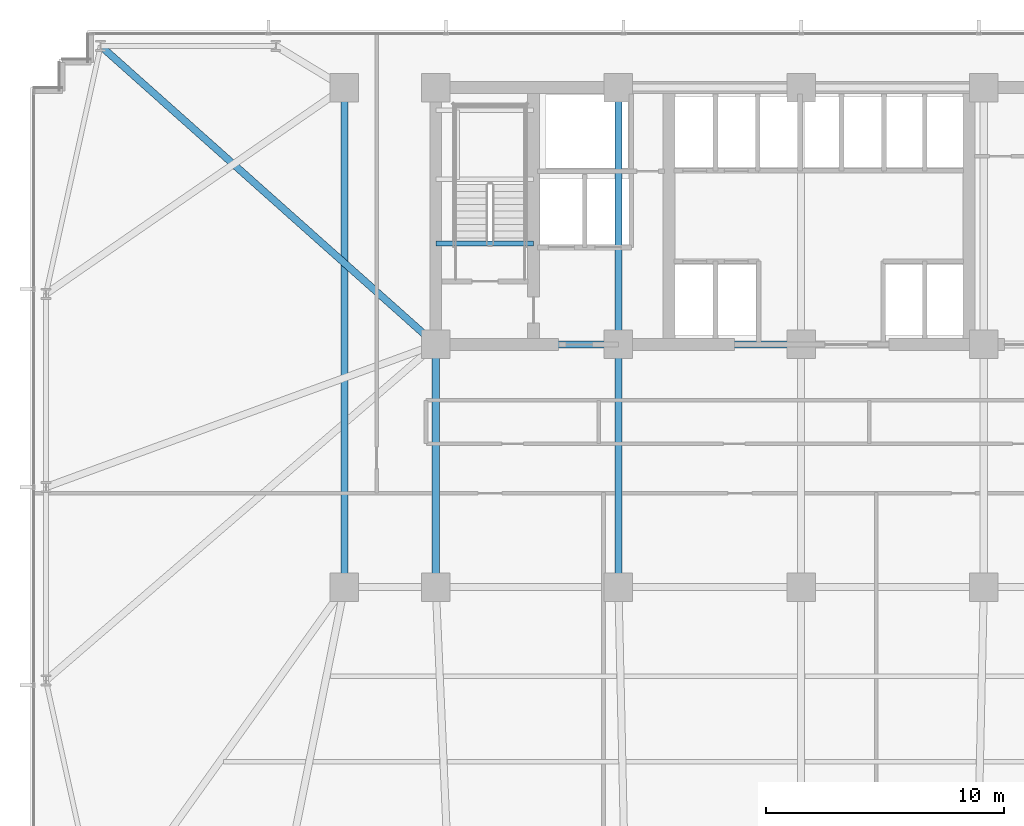
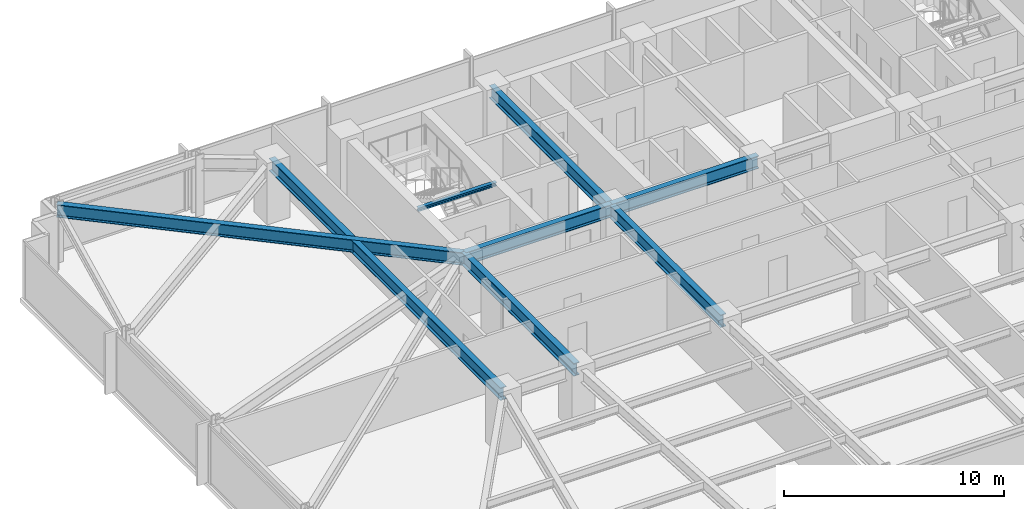
# One storey, part 10 of 32: 8 beams.
"""IFC4 building model written with IfcOpenShell, lengths in metres."""

from ifc_helpers import new_model, si_unit, direction, frame, origin, origin_2d, place, context, subcontext, project, spatial, i_section, extrude, material, material_profile, profile_set, type_object, element, save


model = new_model("IFC4")

# Units and contexts
model_context = context("Model", 3, precision=1e-05, world=origin(), true_north=direction((0.0, 1.0)))
body_context = subcontext(model_context, "Body", "Model", "MODEL_VIEW")
ifc_project = project(units=[si_unit("LENGTHUNIT", "METRE"), si_unit("AREAUNIT", "SQUARE_METRE"), si_unit("VOLUMEUNIT", "CUBIC_METRE"), si_unit("PLANEANGLEUNIT", "RADIAN"), si_unit("MASSUNIT", "GRAM", prefix="KILO")], contexts=[model_context])

# Site, building, storey
site_placement = place(None, origin())
site = spatial("IfcSite", under=ifc_project, at=site_placement, CompositionType="ELEMENT")
building_placement = place(site_placement, origin())
building = spatial("IfcBuilding", under=site, at=building_placement, Name="Yelkora Congress Tower", CompositionType="ELEMENT")
storey_placement = place(building_placement, frame((0.0, 0.0, 67.800048828125)))
storey = spatial("IfcBuildingStorey", under=building, at=storey_placement, Name="L17", CompositionType="ELEMENT", Elevation=67.800048828125)

# Beams
ifc_material = material(Name="Steel S355J2", Category="steel")
ifc_material_profile_1 = material_profile(ifc_material, i_section(OverallWidth=0.300048828125, OverallDepth=0.699951171875, WebThickness=0.01708984375, FlangeThickness=0.031982421875, FilletRadius=0.027099609375, at=origin_2d()), Name="HEB 700")
ifc_profile_set_1 = profile_set([ifc_material_profile_1], Name="Steel S355J2")
beam_type_1 = type_object("IfcBeamType", Name="BM-GIRD-HEB700", PredefinedType="BEAM", material=ifc_profile_set_1)
for number, where, z_axis, x_axis, name in (
    (1, (23.0400390625, 35.39990234375, 2.829833984375), (1.0, 0.0, 0.0), (0.0, 1.0, 0.0), "L17 Core South Girder 1"),
    (2, (30.719970703125, 35.39990234375, 2.829833984375), (1.0, 0.0, 0.0), (0.0, 1.0, 0.0), "L17 Core South Girder 2"),
):
    element("IfcBeam", number, at=place(storey_placement, frame(where, z_axis=z_axis, x_axis=x_axis)), inside=storey, type_object=beam_type_1, Name=name, PredefinedType="BEAM", context=body_context, shape_type="SweptSolid", body=[
        extrude(i_section(OverallWidth=0.300048828125, OverallDepth=0.699951171875, WebThickness=0.01708984375, FlangeThickness=0.031982421875, FilletRadius=0.027099609375, at=origin_2d()), origin(), (0.0, 0.0, 1.0), 7.679931640625),
    ])
for number, where, z_axis, x_axis, name in (
    (3, (23.0400390625, 25.199951171875, 2.829833984375), (0.0, 1.0, 0.0), (-1.0, 0.0, 0.0), "L17 Core Tie Girder MC-D1"),
    (4, (30.719970703125, 25.199951171875, 2.829833984375), (0.0, 1.0, 0.0), (-1.0, 0.0, 0.0), "L17 Core Tie Girder MC-D2"),
):
    element("IfcBeam", number, at=place(storey_placement, frame(where, z_axis=z_axis, x_axis=x_axis)), inside=storey, type_object=beam_type_1, Name=name, PredefinedType="BEAM", context=body_context, shape_type="SweptSolid", body=[
        extrude(i_section(OverallWidth=0.300048828125, OverallDepth=0.699951171875, WebThickness=0.01708984375, FlangeThickness=0.031982421875, FilletRadius=0.027099609375, at=origin_2d()), origin(), (0.0, 0.0, 1.0), 10.199951171875),
    ])
beam_1_placement = place(storey_placement, frame((30.719970703125, 35.39990234375, 2.829833984375), z_axis=(0.0, 1.0, 0.0), x_axis=(-1.0, 0.0, 0.0)))
element("IfcBeam", 5, at=beam_1_placement, inside=storey, type_object=beam_type_1, Name="L17 Core Tie Girder MC-S2", PredefinedType="BEAM", context=body_context, shape_type="SweptSolid", body=[
    extrude(i_section(OverallWidth=0.300048828125, OverallDepth=0.699951171875, WebThickness=0.01708984375, FlangeThickness=0.031982421875, FilletRadius=0.027099609375, at=origin_2d()), origin(), (0.0, 0.0, 1.0), 10.800048828125),
])
beam_2_placement = place(storey_placement, frame((19.199951171875, 25.199951171875, 2.829833984375), z_axis=(0.0, 1.0, 0.0), x_axis=(-1.0, 0.0, 0.0)))
element("IfcBeam", 6, at=beam_2_placement, inside=storey, type_object=beam_type_1, Name="L17 Neck Flank Girder MC-F1", PredefinedType="BEAM", context=body_context, shape_type="SweptSolid", body=[
    extrude(i_section(OverallWidth=0.300048828125, OverallDepth=0.699951171875, WebThickness=0.01708984375, FlangeThickness=0.031982421875, FilletRadius=0.027099609375, at=origin_2d()), origin(), (0.0, 0.0, 1.0), 21.0),
])
beam_3_placement = place(storey_placement, frame((8.949951171875, 47.949951171875, 2.829833984375), z_axis=(0.746737189621, -0.665119214605, 0.0), x_axis=(0.665119214605, 0.746737189621, 0.0)))
element("IfcBeam", 7, at=beam_3_placement, inside=storey, type_object=beam_type_1, Name="L17 Primary Frame Girder N01", PredefinedType="BEAM", context=body_context, shape_type="SweptSolid", body=[
    extrude(i_section(OverallWidth=0.300048828125, OverallDepth=0.699951171875, WebThickness=0.01708984375, FlangeThickness=0.031982421875, FilletRadius=0.027099609375, at=origin_2d()), origin(), (0.0, 0.0, 1.0), 18.868896484375),
])
ifc_material_profile_2 = material_profile(ifc_material, i_section(OverallWidth=0.199951171875, OverallDepth=0.18994140625, WebThickness=0.006591796875, FlangeThickness=0.010009765625, FilletRadius=0.01806640625, at=origin_2d()), Name="HEA 200")
ifc_profile_set_2 = profile_set([ifc_material_profile_2], Name="Steel S355J2")
beam_type_2 = type_object("IfcBeamType", Name="BM-LAND-HEA200", PredefinedType="BEAM", material=ifc_profile_set_2)
beam_4_placement = place(storey_placement, frame((23.0400390625, 39.639892578125, 2.947265625), z_axis=(1.0, 0.0, 0.0), x_axis=(0.0, 1.0, 0.0)))
element("IfcBeam", 8, at=beam_4_placement, inside=storey, type_object=beam_type_2, Name="ST-01 L17 Floor Arrival Stringer Header Beam", PredefinedType="BEAM", context=body_context, shape_type="SweptSolid", body=[
    extrude(i_section(OverallWidth=0.199951171875, OverallDepth=0.18994140625, WebThickness=0.006591796875, FlangeThickness=0.010009765625, FilletRadius=0.01806640625, at=origin_2d()), origin(), (0.0, 0.0, 1.0), 4.10986328125),
])

save(model, "model.ifc")
